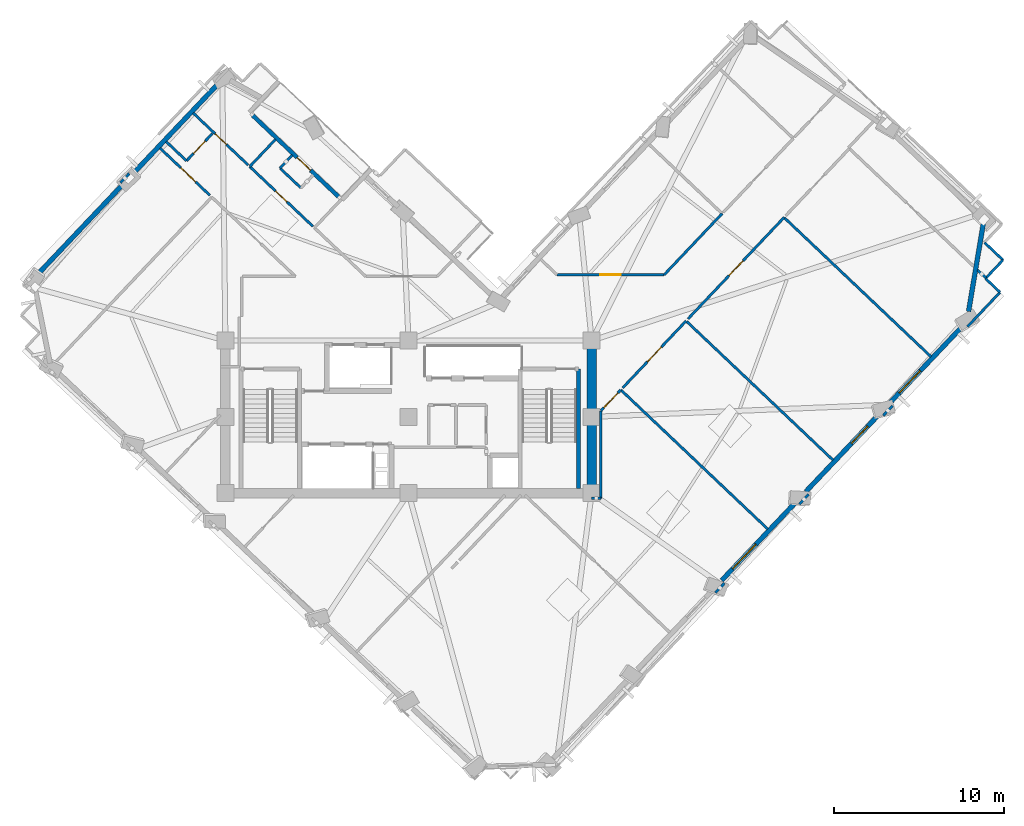
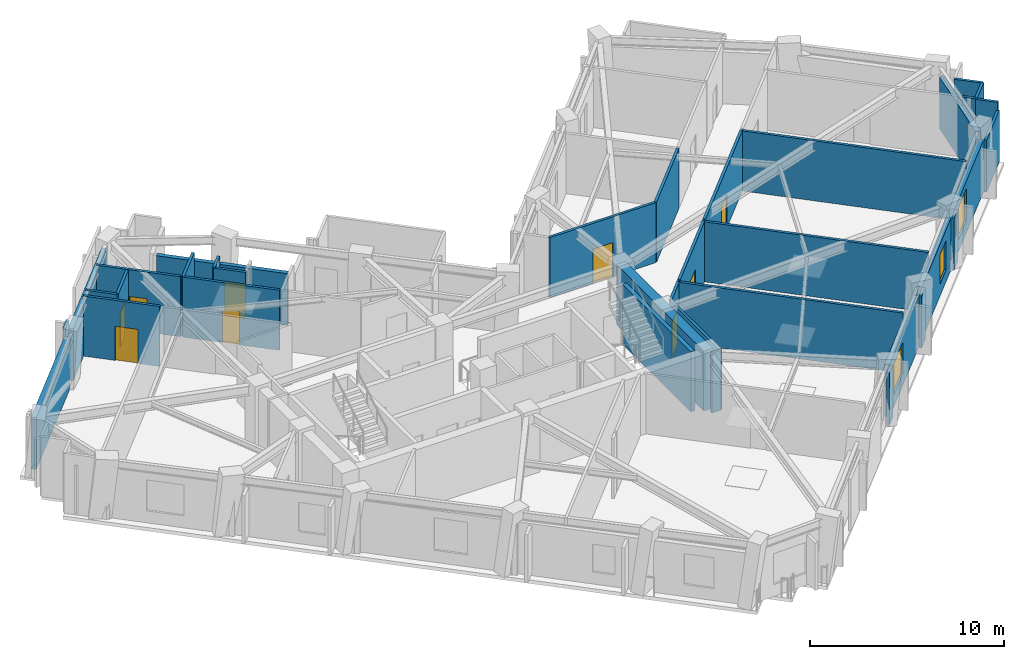
# One storey, part 6 of 12: 36 walls, 9 doors, 3 windows, 12 openings.
"""IFC4 building model written with IfcOpenShell, lengths in metres."""

import ifcopenshell
import ifcopenshell.guid

model = None  # the IFC model being written
_history = None  # IfcOwnerHistory: only IFC2X3 demands one
_inside = {}  # id of a spatial element -> (the spatial element, [elements in it])
_under = {}  # id of a project, library or spatial element -> (it, [spatial elements below it])
_declared = {}  # id of a project -> (the project, [libraries it declares])
_typed = {}  # id of a type object -> (the type object, [elements of that type])
_made_of = {}  # id of a material, layer set ... -> (it, [elements and type objects made of it])


def new_model(schema):
    """Start an empty IFC model of exactly this schema.

    Asked for "IFC4X3", IfcOpenShell would pick the latest addendum, in which some entities
    have other attributes; the version numbers below select the first issue.
    IFC2X3 requires an IfcOwnerHistory on every rooted entity: one is made here for all.
    """
    global model, _history
    if schema == "IFC4X3":
        model = ifcopenshell.file(schema_version=(4, 3, 0, 0))
    else:
        model = ifcopenshell.file(schema=schema)
    _inside.clear()
    _under.clear()
    _declared.clear()
    _typed.clear()
    _made_of.clear()
    _history = None
    if model.schema == "IFC2X3":
        org = make("IfcOrganization", Name="unknown")
        user = make(
            "IfcPersonAndOrganization",
            ThePerson=make("IfcPerson", FamilyName="unknown"),
            TheOrganization=org,
        )
        app = make(
            "IfcApplication",
            ApplicationDeveloper=org,
            Version="unknown",
            ApplicationFullName="unknown",
            ApplicationIdentifier="unknown",
        )
        _history = make(
            "IfcOwnerHistory",
            OwningUser=user,
            OwningApplication=app,
            ChangeAction="ADDED",
            CreationDate=0,
        )
    return model


def make(cls, **values):
    """One entity of the class cls with the attributes given. An attribute that is None is left unset."""
    return model.create_entity(
        cls, **{name: value for name, value in values.items() if value is not None}
    )


def rooted(cls, **values):
    """An entity with a GlobalId (a new one), such as an element, a storey or a relation."""
    return make(cls, GlobalId=ifcopenshell.guid.new(), OwnerHistory=_history, **values)


def si_unit(unit_type, name, prefix=None):
    """IfcSIUnit, for example si_unit("LENGTHUNIT", "METRE", prefix="MILLI")."""
    return make("IfcSIUnit", UnitType=unit_type, Prefix=prefix, Name=name)


def assignment(units):
    """IfcUnitAssignment: the units of a project."""
    return None if units is None else make("IfcUnitAssignment", Units=units)


def point(xyz):
    """IfcCartesianPoint."""
    return None if xyz is None else make("IfcCartesianPoint", Coordinates=xyz)


def direction(xyz):
    """IfcDirection."""
    return None if xyz is None else make("IfcDirection", DirectionRatios=xyz)


def frame(location, z_axis=None, x_axis=None):
    """IfcAxis2Placement3D, a coordinate frame: its origin and axes. An axis left out is left unset."""
    return make(
        "IfcAxis2Placement3D",
        Location=point(location),
        Axis=direction(z_axis),
        RefDirection=direction(x_axis),
    )


def frame_2d(location, x_axis=None):
    """IfcAxis2Placement2D, a coordinate frame in the plane: its origin and x axis."""
    return make(
        "IfcAxis2Placement2D", Location=point(location), RefDirection=direction(x_axis)
    )


def origin():
    """The frame at (0, 0, 0) with its axes left unset."""
    return frame((0.0, 0.0, 0.0))


def place(relative_to, where):
    """IfcLocalPlacement: puts the frame where relative to a parent placement (None: the world)."""
    return make(
        "IfcLocalPlacement", PlacementRelTo=relative_to, RelativePlacement=where
    )


def context(
    kind, dimensions, precision=None, world=None, true_north=None, identifier=None
):
    """IfcGeometricRepresentationContext, for example the 3D "Model" context."""
    return make(
        "IfcGeometricRepresentationContext",
        ContextIdentifier=identifier,
        ContextType=kind,
        CoordinateSpaceDimension=dimensions,
        Precision=precision,
        WorldCoordinateSystem=world,
        TrueNorth=true_north,
    )


def subcontext(parent, identifier, kind, view, scale=None):
    """IfcGeometricRepresentationSubContext, for example "Body" below "Model"."""
    return make(
        "IfcGeometricRepresentationSubContext",
        ContextIdentifier=identifier,
        ContextType=kind,
        ParentContext=parent,
        TargetScale=scale,
        TargetView=view,
    )


def project(units=None, contexts=None):
    """IfcProject with its units and contexts."""
    return rooted(
        "IfcProject",
        Name="project",
        RepresentationContexts=contexts,
        UnitsInContext=assignment(units),
    )


def spatial(cls, under=None, at=None, **own):
    """A site, building, storey or space (cls), placed at a placement, below another one or the project."""
    s = rooted(cls, ObjectPlacement=at, **own)
    if under is not None:
        _under.setdefault(under.id(), (under, []))[1].append(s)
    return s


def profile(cls, at=None, kind="AREA", **sizes):
    """A parametric profile (cls). Its sizes go by their IFC names, for example OverallWidth=200.0."""
    return make(cls, ProfileType=kind, Position=at, **sizes)


def rectangle(**sizes):
    """IfcRectangleProfileDef."""
    return profile("IfcRectangleProfileDef", **sizes)


def extrude(swept, where, along, depth):
    """IfcExtrudedAreaSolid: the profile swept, set in the frame where, extruded along a direction by depth."""
    return make(
        "IfcExtrudedAreaSolid",
        SweptArea=swept,
        Position=where,
        ExtrudedDirection=direction(along),
        Depth=depth,
    )


def shape(context_of_items, identifier, shape_type, items):
    """IfcShapeRepresentation: the items that make up one representation, for example the "Body"."""
    return make(
        "IfcShapeRepresentation",
        ContextOfItems=context_of_items,
        RepresentationIdentifier=identifier,
        RepresentationType=shape_type,
        Items=items,
    )


def material(Name=None, Category=None):
    """IfcMaterial."""
    return make("IfcMaterial", Name=Name, Category=Category)


def layer(
    of_material, thickness, ventilated=None, Name=None, Category=None, Priority=None
):
    """IfcMaterialLayer: one layer of a wall or slab, of a material (None: an air gap)."""
    return make(
        "IfcMaterialLayer",
        Material=of_material,
        LayerThickness=thickness,
        IsVentilated=ventilated,
        Name=Name,
        Category=Category,
        Priority=Priority,
    )


def layer_set(layers, Name=None):
    """IfcMaterialLayerSet."""
    return make("IfcMaterialLayerSet", MaterialLayers=layers, LayerSetName=Name)


def made_of(thing, what):
    """Note that an element or type object is made of a material, layer set ...; save() writes the relation."""
    if what is not None:
        _made_of.setdefault(what.id(), (what, []))[1].append(thing)
    return thing


def type_object(cls, material=None, **own):
    """A type object (cls), such as IfcWallType, which elements share."""
    return made_of(rooted(cls, **own), material)


def element(
    cls,
    number,
    at=None,
    inside=None,
    cuts=None,
    type_object=None,
    material=None,
    context=None,
    identifier="Body",
    shape_type=None,
    held_by="IfcProductDefinitionShape",
    body=None,
    shapes=None,
    **own,
):
    """One element of the class cls, such as IfcWall. Its Tag is "e" and its number.

    at: its placement. inside: the storey or other place that contains it. cuts: it is an
    opening in that element (IfcRelVoidsElement). A single representation is given by context,
    identifier, shape_type and body (its items); several are given by shapes. held_by: the class
    of the entity that holds the representations. save() writes the other relations.
    """
    e = rooted(cls, Tag="e%d" % number, ObjectPlacement=at, **own)
    if body is not None:
        shapes = [shape(context, identifier, shape_type, body)]
    if shapes is not None:
        e.Representation = make(held_by, Representations=shapes)
    if inside is not None:
        _inside.setdefault(inside.id(), (inside, []))[1].append(e)
    if cuts is not None:
        rooted(
            "IfcRelVoidsElement", RelatingBuildingElement=cuts, RelatedOpeningElement=e
        )
    if type_object is not None:
        _typed.setdefault(type_object.id(), (type_object, []))[1].append(e)
    return made_of(e, material)


def fill(opening, filler):
    """IfcRelFillsElement: the door or window that sits in an opening."""
    return rooted(
        "IfcRelFillsElement",
        RelatingOpeningElement=opening,
        RelatedBuildingElement=filler,
    )


def aggregate(whole, parts):
    """IfcRelAggregates: a whole, such as a stair, and the parts it consists of."""
    return rooted("IfcRelAggregates", RelatingObject=whole, RelatedObjects=parts)


def save(model, path):
    """Write the relations noted so far, then the file.

    IfcRelAggregates (storeys below a building ...), IfcRelContainedInSpatialStructure (elements
    in a storey), IfcRelDefinesByType, IfcRelAssociatesMaterial and IfcRelDeclares: one each for
    every whole, place, type object, material and project.
    """
    for whole, parts in _under.values():
        aggregate(whole, parts)
    for where, things in _inside.values():
        rooted(
            "IfcRelContainedInSpatialStructure",
            RelatedElements=things,
            RelatingStructure=where,
        )
    for kind, things in _typed.values():
        rooted("IfcRelDefinesByType", RelatedObjects=things, RelatingType=kind)
    for what, things in _made_of.values():
        rooted("IfcRelAssociatesMaterial", RelatedObjects=things, RelatingMaterial=what)
    for by, libraries in _declared.values():
        rooted("IfcRelDeclares", RelatingContext=by, RelatedDefinitions=libraries)
    model.write(path)


model = new_model("IFC4")

# Units and contexts
model_context = context("Model", 3, precision=1e-05, world=origin(), true_north=direction((0.0, 1.0)))
body_context = subcontext(model_context, "Body", "Model", "MODEL_VIEW")
ifc_project = project(units=[si_unit("LENGTHUNIT", "METRE"), si_unit("AREAUNIT", "SQUARE_METRE"), si_unit("VOLUMEUNIT", "CUBIC_METRE"), si_unit("PLANEANGLEUNIT", "RADIAN"), si_unit("MASSUNIT", "GRAM", prefix="KILO")], contexts=[model_context])

# Site, building, storey
site_placement = place(None, origin())
site = spatial("IfcSite", under=ifc_project, at=site_placement, CompositionType="ELEMENT")
building_placement = place(site_placement, origin())
building = spatial("IfcBuilding", under=site, at=building_placement, Name="Gaonmaruhae Medical Tower", CompositionType="ELEMENT")
storey_placement = place(building_placement, frame((0.0, 0.0, 223.199951171875)))
storey = spatial("IfcBuildingStorey", under=building, at=storey_placement, Name="L53", CompositionType="ELEMENT", Elevation=223.199951171875)

# Wall
ifc_material_1 = material(Name="Concrete C50/60", Category="concrete")
ifc_layer_1 = layer(ifc_material_1, 0.550048828125)
ifc_layer_set_1 = layer_set([ifc_layer_1], Name="Concrete C50/60")
wall_type_1 = type_object("IfcWallType", Name="CW-550 Mid-High Core Shear Wall", PredefinedType="SHEAR", material=ifc_layer_set_1)
wall_1_placement = place(storey_placement, frame((35.60009765625, 7.800048828125, 0.0), z_axis=(0.0, 0.0, 1.0), x_axis=(0.0, 1.0, 0.0)))
element("IfcWall", 1, at=wall_1_placement, inside=storey, type_object=wall_type_1, Name="L53 Core Shear Wall CSW-E1", PredefinedType="SHEAR", context=body_context, shape_type="SweptSolid", body=[
    extrude(rectangle(XDim=9.0, YDim=0.550048828125, at=frame_2d((4.5, 0.0))), origin(), (0.0, 0.0, 1.0), 3.780029296875),
])

# Wall, opening, door
ifc_material_2 = material(Name="Precast concrete C45/55", Category="concrete")
ifc_layer_2 = layer(ifc_material_2, 0.239990234375)
ifc_layer_set_2 = layer_set([ifc_layer_2], Name="Precast concrete C45/55")
wall_type_2 = type_object("IfcWallType", Name="EW-240 Ribbon & Shelter Insulated Precast Wall", PredefinedType="SOLIDWALL", material=ifc_layer_set_2)
wall_2_placement = place(storey_placement, frame((15.61767578125, 30.0712890625, 0.0), z_axis=(0.0, 0.0, 1.0), x_axis=(0.725983101568, -0.687712538956, 0.0)))
wall_2 = element("IfcWall", 2, at=wall_2_placement, inside=storey, type_object=wall_type_2, Name="L53 Recessed Terrace Enclosure Wall TERB", PredefinedType="SOLIDWALL", context=body_context, shape_type="SweptSolid", body=[
    extrude(rectangle(XDim=6.9599609375, YDim=0.239990234375, at=frame_2d((3.47998046875, 0.0))), origin(), (0.0, 0.0, 1.0), 3.26513671875),
])
opening_1_placement = place(wall_2_placement, frame((3.59716796875, 0.0, 0.0)))
opening_1 = element("IfcOpeningElement", 3, at=opening_1_placement, cuts=wall_2, Name="Opening TD-01", PredefinedType="OPENING", context=body_context, shape_type="SweptSolid", body=[
    extrude(rectangle(XDim=1.10009765625, YDim=2.14990234375, at=frame_2d((0.550048828125, 1.074951171875))), frame((0.0, 0.1298828125, 0.0), z_axis=(0.0, -1.0, 0.0), x_axis=(1.0, 0.0, 0.0)), (0.0, 0.0, 1.0), 0.260009765625),
])
ifc_material_3 = material(Name="Anodised aluminium and toughened safety glass", Category="aluminium")
door_type_1 = type_object("IfcDoorType", Name="TD-01 Terrace & Sky Garden Glazed Door 1100x2150", OperationType="NOTDEFINED", PredefinedType="DOOR", material=ifc_material_3)
door_1_placement = place(opening_1_placement, origin())
door_1 = element("IfcDoor", 4, at=door_1_placement, inside=storey, type_object=door_type_1, Name="L53 Outdoor Terrace Access Door SLB-L53-TER", OperationType="SINGLE_SWING_LEFT", OverallHeight=2.14990234375, OverallWidth=1.10009765625, PredefinedType="DOOR", context=body_context, shape_type="SweptSolid", body=[
    extrude(rectangle(XDim=1.10009765625, YDim=2.14990234375, at=frame_2d((0.550048828125, 1.074951171875))), frame((0.0, 0.02490234375, 0.0), z_axis=(0.0, -1.0, 0.0), x_axis=(1.0, 0.0, 0.0)), (0.0, 0.0, 1.0), 0.050048828125),
])
fill(opening_1, door_1)

# Wall, opening, window
ifc_layer_3 = layer(ifc_material_2, 0.280029296875)
ifc_layer_set_3 = layer_set([ifc_layer_3], Name="Precast concrete C45/55")
wall_type_3 = type_object("IfcWallType", Name="EW-280 Upper Precast Masonry-Frame Facade Wall", PredefinedType="SOLIDWALL", material=ifc_layer_set_3)
wall_3_placement = place(storey_placement, frame((47.681396484375, 7.311279296875, 0.0), z_axis=(0.0, 0.0, 1.0), x_axis=(-0.687738312463, -0.725958685856, 0.0)))
wall_3 = element("IfcWall", 5, at=wall_3_placement, inside=storey, type_object=wall_type_3, Name="L53 Precast Masonry-Frame Wall S03-S04", PredefinedType="SOLIDWALL", context=body_context, shape_type="SweptSolid", body=[
    extrude(rectangle(XDim=6.413330078125, YDim=0.280029296875, at=frame_2d((3.20654296875, 0.0))), origin(), (0.0, 0.0, 1.0), 3.26513671875),
])
opening_2_placement = place(wall_3_placement, frame((3.483154296875, 0.0, 0.75)))
opening_2 = element("IfcOpeningElement", 6, at=opening_2_placement, cuts=wall_3, Name="Opening WN-02", PredefinedType="OPENING", context=body_context, shape_type="SweptSolid", body=[
    extrude(rectangle(XDim=2.0, YDim=1.949951171875, at=frame_2d((1.0, 0.97509765625))), frame((0.0, 0.14990234375, 0.0), z_axis=(0.0, -1.0, 0.0), x_axis=(1.0, 0.0, 0.0)), (0.0, 0.0, 1.0), 0.300048828125),
])
ifc_material_4 = material(Name="Anodised aluminium and Low-E double glazing", Category="aluminium")
window_type_1 = type_object("IfcWindowType", Name="WN-02 Double-Bed Ward Punched Window 2000x1950", PartitioningType="SINGLE_PANEL", PredefinedType="WINDOW", material=ifc_material_4)
window_1_placement = place(opening_2_placement, origin())
window_1 = element("IfcWindow", 7, at=window_1_placement, inside=storey, type_object=window_type_1, Name="L53 Modular Facade Window S03", OverallHeight=1.949951171875, OverallWidth=2.0, PartitioningType="SINGLE_PANEL", PredefinedType="WINDOW", context=body_context, shape_type="SweptSolid", body=[
    extrude(rectangle(XDim=2.0, YDim=1.949951171875, at=frame_2d((1.0, 0.97509765625))), frame((0.0, 0.030029296875, 0.0), z_axis=(0.0, -1.0, 0.0), x_axis=(1.0, 0.0, 0.0)), (0.0, 0.0, 1.0), 0.06005859375),
])
fill(opening_2, window_1)

wall_4_placement = place(storey_placement, frame((52.63330078125, 12.538818359375, 0.0), z_axis=(0.0, 0.0, 1.0), x_axis=(-0.687718222847, -0.725977717264, 0.0)))
wall_4 = element("IfcWall", 8, at=wall_4_placement, inside=storey, type_object=wall_type_3, Name="L53 Precast Masonry-Frame Wall S04-S05", PredefinedType="SOLIDWALL", context=body_context, shape_type="SweptSolid", body=[
    extrude(rectangle(XDim=6.40673828125, YDim=0.280029296875, at=frame_2d((3.203369140625, 0.0))), origin(), (0.0, 0.0, 1.0), 3.26513671875),
])
opening_3_placement = place(wall_4_placement, frame((1.089599609375, 0.0, 0.75)))
opening_3 = element("IfcOpeningElement", 9, at=opening_3_placement, cuts=wall_4, Name="Opening WN-03", PredefinedType="OPENING", context=body_context, shape_type="SweptSolid", body=[
    extrude(rectangle(XDim=1.39990234375, YDim=1.85009765625, at=frame_2d((0.699951171875, 0.925048828125))), frame((0.0, 0.14990234375, 0.0), z_axis=(0.0, -1.0, 0.0), x_axis=(1.0, 0.0, 0.0)), (0.0, 0.0, 1.0), 0.300048828125),
])
window_type_2 = type_object("IfcWindowType", Name="WN-03 Isolation Ward Punched Window 1400x1850", PartitioningType="SINGLE_PANEL", PredefinedType="WINDOW", material=ifc_material_4)
window_2_placement = place(opening_3_placement, origin())
window_2 = element("IfcWindow", 10, at=window_2_placement, inside=storey, type_object=window_type_2, Name="L53 Modular Facade Window S04", OverallHeight=1.85009765625, OverallWidth=1.39990234375, PartitioningType="SINGLE_PANEL", PredefinedType="WINDOW", context=body_context, shape_type="SweptSolid", body=[
    extrude(rectangle(XDim=1.39990234375, YDim=1.85009765625, at=frame_2d((0.699951171875, 0.925048828125))), frame((0.0, 0.030029296875, 0.0), z_axis=(0.0, -1.0, 0.0), x_axis=(1.0, 0.0, 0.0)), (0.0, 0.0, 1.0), 0.06005859375),
])
fill(opening_3, window_2)

wall_5_placement = place(storey_placement, frame((57.591796875, 17.773193359375, 0.0), z_axis=(0.0, 0.0, 1.0), x_axis=(-0.687715105933, -0.725980669902, 0.0)))
wall_5 = element("IfcWall", 11, at=wall_5_placement, inside=storey, type_object=wall_type_3, Name="L53 Precast Masonry-Frame Wall S05-S06", PredefinedType="SOLIDWALL", context=body_context, shape_type="SweptSolid", body=[
    extrude(rectangle(XDim=6.41845703125, YDim=0.280029296875, at=frame_2d((3.209228515625, 0.0))), origin(), (0.0, 0.0, 1.0), 3.26513671875),
])
opening_4_placement = place(wall_5_placement, frame((3.79296875, 0.0, 0.75)))
opening_4 = element("IfcOpeningElement", 12, at=opening_4_placement, cuts=wall_5, Name="Opening WN-04", PredefinedType="OPENING", context=body_context, shape_type="SweptSolid", body=[
    extrude(rectangle(XDim=1.800048828125, YDim=2.050048828125, at=frame_2d((0.89990234375, 1.02490234375))), frame((0.0, 0.14990234375, 0.0), z_axis=(0.0, -1.0, 0.0), x_axis=(1.0, 0.0, 0.0)), (0.0, 0.0, 1.0), 0.300048828125),
])
window_type_3 = type_object("IfcWindowType", Name="WN-04 Clinic & Consult Punched Window 1800x2050", PartitioningType="SINGLE_PANEL", PredefinedType="WINDOW", material=ifc_material_4)
window_3_placement = place(opening_4_placement, origin())
window_3 = element("IfcWindow", 13, at=window_3_placement, inside=storey, type_object=window_type_3, Name="L53 Modular Facade Window S05", OverallHeight=2.050048828125, OverallWidth=1.800048828125, PartitioningType="SINGLE_PANEL", PredefinedType="WINDOW", context=body_context, shape_type="SweptSolid", body=[
    extrude(rectangle(XDim=1.800048828125, YDim=2.050048828125, at=frame_2d((0.89990234375, 1.02490234375))), frame((0.0, 0.030029296875, 0.0), z_axis=(0.0, -1.0, 0.0), x_axis=(1.0, 0.0, 0.0)), (0.0, 0.0, 1.0), 0.06005859375),
])
fill(opening_4, window_3)

# Walls
wall_6_placement = place(storey_placement, frame((58.703857421875, 23.736572265625, 0.0), z_axis=(0.0, 0.0, 1.0), x_axis=(-0.165049562629, -0.986285274085, 0.0)))
element("IfcWall", 14, at=wall_6_placement, inside=storey, type_object=wall_type_3, Name="L53 Precast Masonry-Frame Wall S06-E01", PredefinedType="SOLIDWALL", context=body_context, shape_type="SweptSolid", body=[
    extrude(rectangle(XDim=5.2939453125, YDim=0.280029296875, at=frame_2d((2.64697265625, 0.0))), origin(), (0.0, 0.0, 1.0), 3.26513671875),
])
wall_7_placement = place(storey_placement, frame((8.451171875, 26.533935546875, 0.0), z_axis=(0.0, 0.0, 1.0), x_axis=(0.687701834899, 0.725993241206, 0.0)))
element("IfcWall", 15, at=wall_7_placement, inside=storey, type_object=wall_type_3, Name="L53 Precast Masonry-Frame Wall N01-N02", PredefinedType="SOLIDWALL", context=body_context, shape_type="SweptSolid", body=[
    extrude(rectangle(XDim=7.434326171875, YDim=0.280029296875, at=frame_2d((3.71728515625, 0.0))), origin(), (0.0, 0.0, 1.0), 3.26513671875),
])
wall_8_placement = place(storey_placement, frame((2.789794921875, 20.55810546875, 0.0), z_axis=(0.0, 0.0, 1.0), x_axis=(0.687733790789, 0.725962969446, 0.0)))
element("IfcWall", 16, at=wall_8_placement, inside=storey, type_object=wall_type_3, Name="L53 Precast Masonry-Frame Wall N02-N03", PredefinedType="SOLIDWALL", context=body_context, shape_type="SweptSolid", body=[
    extrude(rectangle(XDim=7.484619140625, YDim=0.280029296875, at=frame_2d((3.7421875, 0.0))), origin(), (0.0, 0.0, 1.0), 3.26513671875),
])

# Wall, opening, door
ifc_material_5 = material(Name="Gypsum board partition", Category="gypsum")
ifc_layer_4 = layer(ifc_material_5, 0.14990234375)
ifc_layer_set_4 = layer_set([ifc_layer_4], Name="Gypsum board partition")
wall_type_4 = type_object("IfcWallType", Name="PW-150 Rated Clinical Corridor Partition", PredefinedType="PARTITIONING", material=ifc_layer_set_4)
wall_9_placement = place(storey_placement, frame((36.14990234375, 12.659912109375, 0.0), z_axis=(0.0, 0.0, 1.0), x_axis=(0.687748631245, 0.7259489102, 0.0)))
wall_9 = element("IfcWall", 17, at=wall_9_placement, inside=storey, type_object=wall_type_4, Name="L53 Interior Partition L53-SUP03-12", PredefinedType="PARTITIONING", context=body_context, shape_type="SweptSolid", body=[
    extrude(rectangle(XDim=1.699951171875, YDim=0.14990234375, at=frame_2d((0.85009765625, 0.0))), origin(), (0.0, 0.0, 1.0), 3.780029296875),
])
opening_5_placement = place(wall_9_placement, frame((0.25, 0.0, 0.0)))
opening_5 = element("IfcOpeningElement", 18, at=opening_5_placement, cuts=wall_9, Name="Opening CD-02", PredefinedType="OPENING", context=body_context, shape_type="SweptSolid", body=[
    extrude(rectangle(XDim=1.199951171875, YDim=2.14990234375, at=frame_2d((0.60009765625, 1.074951171875))), frame((0.0, 0.0849609375, 0.0), z_axis=(0.0, -1.0, 0.0), x_axis=(1.0, 0.0, 0.0)), (0.0, 0.0, 1.0), 0.169921875),
])
ifc_material_6 = material(Name="Antimicrobial laminate timber fire door", Category="wood")
door_type_2 = type_object("IfcDoorType", Name="CD-02 Clinical Treatment & Procedure Door 1200x2150", OperationType="NOTDEFINED", PredefinedType="DOOR", material=ifc_material_6)
door_2_placement = place(opening_5_placement, origin())
door_2 = element("IfcDoor", 19, at=door_2_placement, inside=storey, type_object=door_type_2, Name="L53 Clinical Biomedical Charting Office Door", OperationType="SINGLE_SWING_RIGHT", OverallHeight=2.14990234375, OverallWidth=1.199951171875, PredefinedType="DOOR", context=body_context, shape_type="SweptSolid", body=[
    extrude(rectangle(XDim=1.199951171875, YDim=2.14990234375, at=frame_2d((0.60009765625, 1.074951171875))), frame((0.0, 0.02490234375, 0.0), z_axis=(0.0, -1.0, 0.0), x_axis=(1.0, 0.0, 0.0)), (0.0, 0.0, 1.0), 0.050048828125),
])
fill(opening_5, door_2)

# Walls
wall_10_placement = place(storey_placement, frame((37.319091796875, 13.89404296875, 0.0), z_axis=(0.0, 0.0, 1.0), x_axis=(0.725983859035, -0.687711739336, 0.0)))
element("IfcWall", 20, at=wall_10_placement, inside=storey, type_object=wall_type_4, Name="L53 Interior Partition L53-SUP03-13", PredefinedType="PARTITIONING", context=body_context, shape_type="SweptSolid", body=[
    extrude(rectangle(XDim=11.935302734375, YDim=0.14990234375, at=frame_2d((5.9677734375, 0.0))), origin(), (0.0, 0.0, 1.0), 3.780029296875),
])
wall_11_placement = place(storey_placement, frame((43.43798828125, 2.4970703125, 0.0), z_axis=(0.0, 0.0, 1.0), x_axis=(-0.688048897226, -0.725664326687, 0.0)))
element("IfcWall", 21, at=wall_11_placement, inside=storey, type_object=wall_type_4, Name="L53 Interior Partition L53-SUP03-14", PredefinedType="PARTITIONING", context=body_context, shape_type="SweptSolid", body=[
    extrude(rectangle(XDim=0.77880859375, YDim=0.14990234375, at=frame_2d((0.389404296875, 0.0))), origin(), (0.0, 0.0, 1.0), 3.26513671875),
])
wall_12_placement = place(storey_placement, frame((35.60009765625, 7.5, 0.0), z_axis=(0.0, 0.0, 1.0), x_axis=(1.0, 0.0, 0.0)))
element("IfcWall", 22, at=wall_12_placement, inside=storey, type_object=wall_type_4, Name="L53 Interior Partition L53-SUP03-15", PredefinedType="PARTITIONING", context=body_context, shape_type="SweptSolid", body=[
    extrude(rectangle(XDim=0.5498046875, YDim=0.14990234375, at=frame_2d((0.27490234375, 0.0))), origin(), (0.0, 0.0, 1.0), 3.780029296875),
])
wall_13_placement = place(storey_placement, frame((36.14990234375, 7.5, 0.0), z_axis=(0.0, 0.0, 1.0), x_axis=(0.0, 1.0, 0.0)))
element("IfcWall", 23, at=wall_13_placement, inside=storey, type_object=wall_type_4, Name="L53 Interior Partition L53-SUP03-16", PredefinedType="PARTITIONING", context=body_context, shape_type="SweptSolid", body=[
    extrude(rectangle(XDim=5.159912109375, YDim=0.14990234375, at=frame_2d((2.580078125, 0.0))), origin(), (0.0, 0.0, 1.0), 3.780029296875),
])

# Wall, opening, door
wall_14_placement = place(storey_placement, frame((37.428955078125, 14.010009765625, 0.0), z_axis=(0.0, 0.0, 1.0), x_axis=(0.687728463974, 0.725968015714, 0.0)))
wall_14 = element("IfcWall", 24, at=wall_14_placement, inside=storey, type_object=wall_type_4, Name="L53 Interior Partition L53-SUP04-17", PredefinedType="PARTITIONING", context=body_context, shape_type="SweptSolid", body=[
    extrude(rectangle(XDim=5.439697265625, YDim=0.14990234375, at=frame_2d((2.7197265625, 0.0))), origin(), (0.0, 0.0, 1.0), 3.780029296875),
])
opening_6_placement = place(wall_14_placement, frame((2.119873046875, 0.0, 0.0)))
opening_6 = element("IfcOpeningElement", 25, at=opening_6_placement, cuts=wall_14, Name="Opening CD-02", PredefinedType="OPENING", context=body_context, shape_type="SweptSolid", body=[
    extrude(rectangle(XDim=1.199951171875, YDim=2.14990234375, at=frame_2d((0.60009765625, 1.074951171875))), frame((0.0, 0.0849609375, 0.0), z_axis=(0.0, -1.0, 0.0), x_axis=(1.0, 0.0, 0.0)), (0.0, 0.0, 1.0), 0.169921875),
])
door_3_placement = place(opening_6_placement, origin())
door_3 = element("IfcDoor", 26, at=door_3_placement, inside=storey, type_object=door_type_2, Name="L53 Clinical Biomedical Charting Office Door", OperationType="SINGLE_SWING_RIGHT", OverallHeight=2.14990234375, OverallWidth=1.199951171875, PredefinedType="DOOR", context=body_context, shape_type="SweptSolid", body=[
    extrude(rectangle(XDim=1.199951171875, YDim=2.14990234375, at=frame_2d((0.60009765625, 1.074951171875))), frame((0.0, 0.02490234375, 0.0), z_axis=(0.0, -1.0, 0.0), x_axis=(1.0, 0.0, 0.0)), (0.0, 0.0, 1.0), 0.050048828125),
])
fill(opening_6, door_3)

# Walls
wall_15_placement = place(storey_placement, frame((41.2060546875, 17.925048828125, 0.0), z_axis=(0.0, 0.0, 1.0), x_axis=(0.725942427987, -0.687755473442, 0.0)))
element("IfcWall", 27, at=wall_15_placement, inside=storey, type_object=wall_type_4, Name="L53 Interior Partition L53-SUP04-18", PredefinedType="PARTITIONING", context=body_context, shape_type="SweptSolid", body=[
    extrude(rectangle(XDim=11.88525390625, YDim=0.14990234375, at=frame_2d((5.942626953125, 0.0))), origin(), (0.0, 0.0, 1.0), 3.780029296875),
])
wall_16_placement = place(storey_placement, frame((48.39404296875, 7.72900390625, 0.0), z_axis=(0.0, 0.0, 1.0), x_axis=(-0.688094375401, -0.725621203206, 0.0)))
element("IfcWall", 28, at=wall_16_placement, inside=storey, type_object=wall_type_4, Name="L53 Interior Partition L53-SUP04-19", PredefinedType="PARTITIONING", context=body_context, shape_type="SweptSolid", body=[
    extrude(rectangle(XDim=0.793701171875, YDim=0.14990234375, at=frame_2d((0.39697265625, 0.0))), origin(), (0.0, 0.0, 1.0), 3.26513671875),
])

# Wall, opening, door
wall_17_placement = place(storey_placement, frame((41.280029296875, 18.075927734375, 0.0), z_axis=(0.0, 0.0, 1.0), x_axis=(0.687723280908, 0.725972925732, 0.0)))
wall_17 = element("IfcWall", 29, at=wall_17_placement, inside=storey, type_object=wall_type_4, Name="L53 Interior Partition L53-SUP05-20", PredefinedType="PARTITIONING", context=body_context, shape_type="SweptSolid", body=[
    extrude(rectangle(XDim=8.240234375, YDim=0.14990234375, at=frame_2d((4.1201171875, 0.0))), origin(), (0.0, 0.0, 1.0), 3.780029296875),
])
opening_7_placement = place(wall_17_placement, frame((3.52001953125, 0.0, 0.0)))
opening_7 = element("IfcOpeningElement", 30, at=opening_7_placement, cuts=wall_17, Name="Opening CD-02", PredefinedType="OPENING", context=body_context, shape_type="SweptSolid", body=[
    extrude(rectangle(XDim=1.199951171875, YDim=2.14990234375, at=frame_2d((0.60009765625, 1.074951171875))), frame((0.0, 0.0849609375, 0.0), z_axis=(0.0, -1.0, 0.0), x_axis=(1.0, 0.0, 0.0)), (0.0, 0.0, 1.0), 0.169921875),
])
door_4_placement = place(opening_7_placement, origin())
door_4 = element("IfcDoor", 31, at=door_4_placement, inside=storey, type_object=door_type_2, Name="L53 Clinical Biomedical Charting Office Door", OperationType="SINGLE_SWING_LEFT", OverallHeight=2.14990234375, OverallWidth=1.199951171875, PredefinedType="DOOR", context=body_context, shape_type="SweptSolid", body=[
    extrude(rectangle(XDim=1.199951171875, YDim=2.14990234375, at=frame_2d((0.60009765625, 1.074951171875))), frame((0.0, 0.02490234375, 0.0), z_axis=(0.0, -1.0, 0.0), x_axis=(1.0, 0.0, 0.0)), (0.0, 0.0, 1.0), 0.050048828125),
])
fill(opening_7, door_4)

# Walls
wall_18_placement = place(storey_placement, frame((46.947021484375, 24.05810546875, 0.0), z_axis=(0.0, 0.0, 1.0), x_axis=(0.725954834058, -0.687742378298, 0.0)))
element("IfcWall", 32, at=wall_18_placement, inside=storey, type_object=wall_type_4, Name="L53 Interior Partition L53-SUP05-21", PredefinedType="PARTITIONING", context=body_context, shape_type="SweptSolid", body=[
    extrude(rectangle(XDim=11.934814453125, YDim=0.14990234375, at=frame_2d((5.96728515625, 0.0))), origin(), (0.0, 0.0, 1.0), 3.780029296875),
])
wall_19_placement = place(storey_placement, frame((53.344970703125, 12.955078125, 0.0), z_axis=(0.0, 0.0, 1.0), x_axis=(-0.687094275741, -0.726568273629, 0.0)))
element("IfcWall", 33, at=wall_19_placement, inside=storey, type_object=wall_type_4, Name="L53 Interior Partition L53-SUP05-22", PredefinedType="PARTITIONING", context=body_context, shape_type="SweptSolid", body=[
    extrude(rectangle(XDim=0.791748046875, YDim=0.14990234375, at=frame_2d((0.39599609375, 0.0))), origin(), (0.0, 0.0, 1.0), 3.26513671875),
])
wall_20_placement = place(storey_placement, frame((59.68603515625, 19.64892578125, 0.0), z_axis=(0.0, 0.0, 1.0), x_axis=(-0.687766399862, -0.725932076175, 0.0)))
element("IfcWall", 34, at=wall_20_placement, inside=storey, type_object=wall_type_4, Name="L53 Interior Partition L53-SUP06-23", PredefinedType="PARTITIONING", context=body_context, shape_type="SweptSolid", body=[
    extrude(rectangle(XDim=2.8017578125, YDim=0.14990234375, at=frame_2d((1.40087890625, 0.0))), origin(), (0.0, 0.0, 1.0), 3.26513671875),
])
wall_21_placement = place(storey_placement, frame((58.35595703125, 20.9619140625, 0.0), z_axis=(0.0, 0.0, 1.0), x_axis=(0.726521066113, -0.687144191924, 0.0)))
element("IfcWall", 35, at=wall_21_placement, inside=storey, type_object=wall_type_4, Name="L53 Interior Partition L53-SUP06-26", PredefinedType="PARTITIONING", context=body_context, shape_type="SweptSolid", body=[
    extrude(rectangle(XDim=0.688232421875, YDim=0.14990234375, at=frame_2d((0.34423828125, 0.0))), origin(), (0.0, 0.0, 1.0), 3.780029296875),
])
wall_22_placement = place(storey_placement, frame((58.8291015625, 20.4599609375, 0.0), z_axis=(0.0, 0.0, 1.0), x_axis=(0.72628971039, -0.687388723053, 0.0)))
element("IfcWall", 36, at=wall_22_placement, inside=storey, type_object=wall_type_4, Name="L53 Interior Partition L53-SUP06-27", PredefinedType="PARTITIONING", context=body_context, shape_type="SweptSolid", body=[
    extrude(rectangle(XDim=1.179931640625, YDim=0.14990234375, at=frame_2d((0.58984375, 0.0))), origin(), (0.0, 0.0, 1.0), 3.780029296875),
])
wall_23_placement = place(storey_placement, frame((7.81396484375, 26.10791015625, 0.0), z_axis=(0.0, 0.0, 1.0), x_axis=(0.687409433175, 0.726270108969, 0.0)))
element("IfcWall", 37, at=wall_23_placement, inside=storey, type_object=wall_type_4, Name="L53 Interior Partition L53-WOF10-44", PredefinedType="PARTITIONING", context=body_context, shape_type="SweptSolid", body=[
    extrude(rectangle(XDim=0.74755859375, YDim=0.14990234375, at=frame_2d((0.373779296875, 0.0))), origin(), (0.0, 0.0, 1.0), 3.780029296875),
])

# Wall, opening, door
wall_24_placement = place(storey_placement, frame((10.14208984375, 28.15087890625, 0.0), z_axis=(0.0, 0.0, 1.0), x_axis=(0.725989119773, -0.687706185788, 0.0)))
wall_24 = element("IfcWall", 38, at=wall_24_placement, inside=storey, type_object=wall_type_4, Name="L53 Interior Partition L53-WOF10-45", PredefinedType="PARTITIONING", context=body_context, shape_type="SweptSolid", body=[
    extrude(rectangle(XDim=4.049560546875, YDim=0.14990234375, at=frame_2d((2.02490234375, 0.0))), origin(), (0.0, 0.0, 1.0), 3.780029296875),
])
opening_8_placement = place(wall_24_placement, frame((1.69970703125, 0.0, 0.0)))
opening_8 = element("IfcOpeningElement", 39, at=opening_8_placement, cuts=wall_24, Name="Opening CD-02", PredefinedType="OPENING", context=body_context, shape_type="SweptSolid", body=[
    extrude(rectangle(XDim=1.199951171875, YDim=2.14990234375, at=frame_2d((0.60009765625, 1.074951171875))), frame((0.0, 0.0849609375, 0.0), z_axis=(0.0, -1.0, 0.0), x_axis=(1.0, 0.0, 0.0)), (0.0, 0.0, 1.0), 0.169921875),
])
door_5_placement = place(opening_8_placement, origin())
door_5 = element("IfcDoor", 40, at=door_5_placement, inside=storey, type_object=door_type_2, Name="L53 Ward Physician Reporting Office Door", OperationType="SINGLE_SWING_RIGHT", OverallHeight=2.14990234375, OverallWidth=1.199951171875, PredefinedType="DOOR", context=body_context, shape_type="SweptSolid", body=[
    extrude(rectangle(XDim=1.199951171875, YDim=2.14990234375, at=frame_2d((0.60009765625, 1.074951171875))), frame((0.0, 0.02490234375, 0.0), z_axis=(0.0, -1.0, 0.0), x_axis=(1.0, 0.0, 0.0)), (0.0, 0.0, 1.0), 0.050048828125),
])
fill(opening_8, door_5)

# Wall
wall_25_placement = place(storey_placement, frame((43.2939453125, 24.2880859375, 0.0), z_axis=(0.0, 0.0, 1.0), x_axis=(-0.687611091147, -0.726079188058, 0.0)))
element("IfcWall", 41, at=wall_25_placement, inside=storey, type_object=wall_type_4, Name="L53 Interior Partition L53-IE02-52", PredefinedType="PARTITIONING", context=body_context, shape_type="SweptSolid", body=[
    extrude(rectangle(XDim=4.969482421875, YDim=0.14990234375, at=frame_2d((2.48486328125, 0.0))), origin(), (0.0, 0.0, 1.0), 3.780029296875),
])

# Wall, opening, door
wall_26_placement = place(storey_placement, frame((39.876953125, 20.679931640625, 0.0), z_axis=(0.0, 0.0, 1.0), x_axis=(-1.0, 0.0, 0.0)))
wall_26 = element("IfcWall", 42, at=wall_26_placement, inside=storey, type_object=wall_type_4, Name="L53 Interior Partition L53-IE02-53", PredefinedType="PARTITIONING", context=body_context, shape_type="SweptSolid", body=[
    extrude(rectangle(XDim=6.31884765625, YDim=0.14990234375, at=frame_2d((3.159423828125, 0.0))), origin(), (0.0, 0.0, 1.0), 3.780029296875),
])
opening_9_placement = place(wall_26_placement, frame((2.5595703125, 0.0, 0.0)))
opening_9 = element("IfcOpeningElement", 43, at=opening_9_placement, cuts=wall_26, Name="Opening CD-02", PredefinedType="OPENING", context=body_context, shape_type="SweptSolid", body=[
    extrude(rectangle(XDim=1.199951171875, YDim=2.14990234375, at=frame_2d((0.60009765625, 1.074951171875))), frame((0.0, 0.0849609375, 0.0), z_axis=(0.0, -1.0, 0.0), x_axis=(1.0, 0.0, 0.0)), (0.0, 0.0, 1.0), 0.169921875),
])
door_6_placement = place(opening_9_placement, origin())
door_6 = element("IfcDoor", 44, at=door_6_placement, inside=storey, type_object=door_type_2, Name="L53 Acute Treatment Examination Room Door", OperationType="SINGLE_SWING_LEFT", OverallHeight=2.14990234375, OverallWidth=1.199951171875, PredefinedType="DOOR", context=body_context, shape_type="SweptSolid", body=[
    extrude(rectangle(XDim=1.199951171875, YDim=2.14990234375, at=frame_2d((0.60009765625, 1.074951171875))), frame((0.0, 0.02490234375, 0.0), z_axis=(0.0, -1.0, 0.0), x_axis=(1.0, 0.0, 0.0)), (0.0, 0.0, 1.0), 0.050048828125),
])
fill(opening_9, door_6)

# Walls
wall_27_placement = place(storey_placement, frame((15.43701171875, 27.06005859375, 0.0), z_axis=(0.0, 0.0, 1.0), x_axis=(0.687665143624, 0.726027995497, 0.0)))
element("IfcWall", 45, at=wall_27_placement, inside=storey, type_object=wall_type_4, Name="L53 Interior Partition L53-IN02-73", PredefinedType="PARTITIONING", context=body_context, shape_type="SweptSolid", body=[
    extrude(rectangle(XDim=2.214599609375, YDim=0.14990234375, at=frame_2d((1.107421875, 0.0))), origin(), (0.0, 0.0, 1.0), 3.780029296875),
])
wall_28_placement = place(storey_placement, frame((17.946044921875, 27.735107421875, 0.0), z_axis=(0.0, 0.0, 1.0), x_axis=(-0.687885778475, -0.72581895523, 0.0)))
element("IfcWall", 46, at=wall_28_placement, inside=storey, type_object=wall_type_4, Name="L53 Interior Partition L53-IN02-74", PredefinedType="PARTITIONING", context=body_context, shape_type="SweptSolid", body=[
    extrude(rectangle(XDim=1.055419921875, YDim=0.14990234375, at=frame_2d((0.52783203125, 0.0))), origin(), (0.0, 0.0, 1.0), 3.780029296875),
])
wall_29_placement = place(storey_placement, frame((17.219970703125, 26.968994140625, 0.0), z_axis=(0.0, 0.0, 1.0), x_axis=(0.726292119924, -0.687386177149, 0.0)))
element("IfcWall", 47, at=wall_29_placement, inside=storey, type_object=wall_type_4, Name="L53 Interior Partition L53-IN02-75", PredefinedType="PARTITIONING", context=body_context, shape_type="SweptSolid", body=[
    extrude(rectangle(XDim=1.70068359375, YDim=0.14990234375, at=frame_2d((0.850341796875, 0.0))), origin(), (0.0, 0.0, 1.0), 3.780029296875),
])

# Wall, opening, door
wall_30_placement = place(storey_placement, frame((19.162109375, 23.531982421875, 0.0), z_axis=(0.0, 0.0, 1.0), x_axis=(-0.726046457107, 0.68764565157, 0.0)))
wall_30 = element("IfcWall", 48, at=wall_30_placement, inside=storey, type_object=wall_type_4, Name="L53 Interior Partition L53-IN02-77", PredefinedType="PARTITIONING", context=body_context, shape_type="SweptSolid", body=[
    extrude(rectangle(XDim=5.130615234375, YDim=0.14990234375, at=frame_2d((2.5654296875, 0.0))), origin(), (0.0, 0.0, 1.0), 3.780029296875),
])
opening_10_placement = place(wall_30_placement, frame((2.105224609375, 0.0, 0.0)))
opening_10 = element("IfcOpeningElement", 49, at=opening_10_placement, cuts=wall_30, Name="Opening UD-01", PredefinedType="OPENING", context=body_context, shape_type="SweptSolid", body=[
    extrude(rectangle(XDim=0.919921875, YDim=2.10009765625, at=frame_2d((0.4599609375, 1.050048828125))), frame((0.0, 0.0849609375, 0.0), z_axis=(0.0, -1.0, 0.0), x_axis=(1.0, 0.0, 0.0)), (0.0, 0.0, 1.0), 0.169921875),
])
ifc_material_7 = material(Name="Powder-coated steel utility door", Category="steel")
door_type_3 = type_object("IfcDoorType", Name="UD-01 Toilet, Utility & Housekeeping Door 920x2100", OperationType="NOTDEFINED", PredefinedType="DOOR", material=ifc_material_7)
door_7_placement = place(opening_10_placement, origin())
door_7 = element("IfcDoor", 50, at=door_7_placement, inside=storey, type_object=door_type_3, Name="L53 Ward Nutrition Pantry Door", OperationType="SINGLE_SWING_RIGHT", OverallHeight=2.10009765625, OverallWidth=0.919921875, PredefinedType="DOOR", context=body_context, shape_type="SweptSolid", body=[
    extrude(rectangle(XDim=0.919921875, YDim=2.10009765625, at=frame_2d((0.4599609375, 1.050048828125))), frame((0.0, 0.02490234375, 0.0), z_axis=(0.0, -1.0, 0.0), x_axis=(1.0, 0.0, 0.0)), (0.0, 0.0, 1.0), 0.050048828125),
])
fill(opening_10, door_7)

wall_31_placement = place(storey_placement, frame((15.35009765625, 27.14306640625, 0.0), z_axis=(0.0, 0.0, 1.0), x_axis=(-0.726077402079, 0.687612977037, 0.0)))
wall_31 = element("IfcWall", 51, at=wall_31_placement, inside=storey, type_object=wall_type_4, Name="L53 Interior Partition L53-IN03-79", PredefinedType="PARTITIONING", context=body_context, shape_type="SweptSolid", body=[
    extrude(rectangle(XDim=4.474853515625, YDim=0.14990234375, at=frame_2d((2.2373046875, 0.0))), origin(), (0.0, 0.0, 1.0), 3.780029296875),
])
opening_11_placement = place(wall_31_placement, frame((1.77734375, 0.0, 0.0)))
opening_11 = element("IfcOpeningElement", 52, at=opening_11_placement, cuts=wall_31, Name="Opening UD-01", PredefinedType="OPENING", context=body_context, shape_type="SweptSolid", body=[
    extrude(rectangle(XDim=0.919921875, YDim=2.10009765625, at=frame_2d((0.4599609375, 1.050048828125))), frame((0.0, 0.0849609375, 0.0), z_axis=(0.0, -1.0, 0.0), x_axis=(1.0, 0.0, 0.0)), (0.0, 0.0, 1.0), 0.169921875),
])
door_8_placement = place(opening_11_placement, origin())
door_8 = element("IfcDoor", 53, at=door_8_placement, inside=storey, type_object=door_type_3, Name="L53 Public Visitor Toilet Door", OperationType="SINGLE_SWING_RIGHT", OverallHeight=2.10009765625, OverallWidth=0.919921875, PredefinedType="DOOR", context=body_context, shape_type="SweptSolid", body=[
    extrude(rectangle(XDim=0.919921875, YDim=2.10009765625, at=frame_2d((0.4599609375, 1.050048828125))), frame((0.0, 0.02490234375, 0.0), z_axis=(0.0, -1.0, 0.0), x_axis=(1.0, 0.0, 0.0)), (0.0, 0.0, 1.0), 0.050048828125),
])
fill(opening_11, door_8)

wall_32_placement = place(storey_placement, frame((13.23388671875, 29.009033203125, 0.0), z_axis=(0.0, 0.0, 1.0), x_axis=(-0.6878788724, -0.725825500314, 0.0)))
wall_32 = element("IfcWall", 54, at=wall_32_placement, inside=storey, type_object=wall_type_4, Name="L53 Interior Partition L53-RM02-85", PredefinedType="PARTITIONING", context=body_context, shape_type="SweptSolid", body=[
    extrude(rectangle(XDim=2.2197265625, YDim=0.14990234375, at=frame_2d((1.10986328125, 0.0))), origin(), (0.0, 0.0, 1.0), 3.780029296875),
])
opening_12_placement = place(wall_32_placement, frame((0.60986328125, 0.0, 0.0)))
opening_12 = element("IfcOpeningElement", 55, at=opening_12_placement, cuts=wall_32, Name="Opening CD-01", PredefinedType="OPENING", context=body_context, shape_type="SweptSolid", body=[
    extrude(rectangle(XDim=1.0, YDim=2.1201171875, at=frame_2d((0.5, 1.06005859375))), frame((0.0, 0.0849609375, 0.0), z_axis=(0.0, -1.0, 0.0), x_axis=(1.0, 0.0, 0.0)), (0.0, 0.0, 1.0), 0.169921875),
])
door_type_4 = type_object("IfcDoorType", Name="CD-01 Consultation & Physician Office Door 1000x2120", OperationType="NOTDEFINED", PredefinedType="DOOR", material=ifc_material_6)
door_9_placement = place(opening_12_placement, origin())
door_9 = element("IfcDoor", 56, at=door_9_placement, inside=storey, type_object=door_type_4, Name="L53 Care Team Clinical Charting Office Door", OperationType="SINGLE_SWING_RIGHT", OverallHeight=2.1201171875, OverallWidth=1.0, PredefinedType="DOOR", context=body_context, shape_type="SweptSolid", body=[
    extrude(rectangle(XDim=1.0, YDim=2.1201171875, at=frame_2d((0.5, 1.06005859375))), frame((0.0, 0.02490234375, 0.0), z_axis=(0.0, -1.0, 0.0), x_axis=(1.0, 0.0, 0.0)), (0.0, 0.0, 1.0), 0.050048828125),
])
fill(opening_12, door_9)

# Walls
wall_33_placement = place(storey_placement, frame((11.70703125, 27.39794921875, 0.0), z_axis=(0.0, 0.0, 1.0), x_axis=(-0.725886759705, 0.687814227888, 0.0)))
element("IfcWall", 57, at=wall_33_placement, inside=storey, type_object=wall_type_4, Name="L53 Interior Partition L53-RM02-86", PredefinedType="PARTITIONING", context=body_context, shape_type="SweptSolid", body=[
    extrude(rectangle(XDim=1.654541015625, YDim=0.14990234375, at=frame_2d((0.8271484375, 0.0))), origin(), (0.0, 0.0, 1.0), 3.780029296875),
])
wall_34_placement = place(storey_placement, frame((58.77197265625, 22.5810546875, 0.0), z_axis=(0.0, 0.0, 1.0), x_axis=(0.725580405267, -0.688137395796, 0.0)))
element("IfcWall", 58, at=wall_34_placement, inside=storey, type_object=wall_type_4, Name="L53 Interior Partition L53-RM04-95", PredefinedType="PARTITIONING", context=body_context, shape_type="SweptSolid", body=[
    extrude(rectangle(XDim=1.499755859375, YDim=0.14990234375, at=frame_2d((0.75, 0.0))), origin(), (0.0, 0.0, 1.0), 3.780029296875),
])
wall_35_placement = place(storey_placement, frame((59.860107421875, 21.549072265625, 0.0), z_axis=(0.0, 0.0, 1.0), x_axis=(-0.687683494392, -0.726010613931, 0.0)))
element("IfcWall", 59, at=wall_35_placement, inside=storey, type_object=wall_type_4, Name="L53 Interior Partition L53-RM04-96", PredefinedType="PARTITIONING", context=body_context, shape_type="SweptSolid", body=[
    extrude(rectangle(XDim=1.439697265625, YDim=0.14990234375, at=frame_2d((0.7197265625, 0.0))), origin(), (0.0, 0.0, 1.0), 3.780029296875),
])
ifc_layer_5 = layer(ifc_material_1, 0.239990234375)
ifc_layer_set_5 = layer_set([ifc_layer_5], Name="Concrete C50/60")
wall_type_5 = type_object("IfcWallType", Name="SW-240 Dogleg Stair Tight Shaft Wall", PredefinedType="SOLIDWALL", material=ifc_layer_set_5)
wall_36_placement = place(storey_placement, frame((34.830078125, 15.1201171875, 0.0), z_axis=(0.0, 0.0, 1.0), x_axis=(0.0, -1.0, 0.0)))
element("IfcWall", 60, at=wall_36_placement, inside=storey, type_object=wall_type_5, Name="L53 ST-02 Stair Shaft Wall SHW-ST-02-E", PredefinedType="SOLIDWALL", context=body_context, shape_type="SweptSolid", body=[
    extrude(rectangle(XDim=7.045166015625, YDim=0.239990234375, at=frame_2d((3.5224609375, 0.0))), origin(), (0.0, 0.0, 1.0), 3.780029296875),
])

save(model, "model.ifc")
